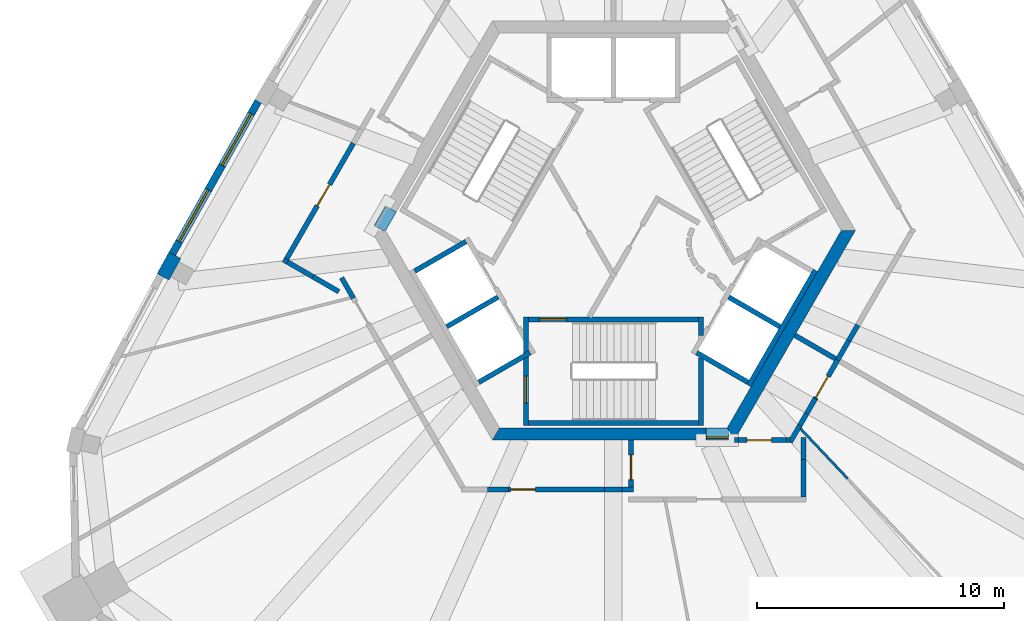
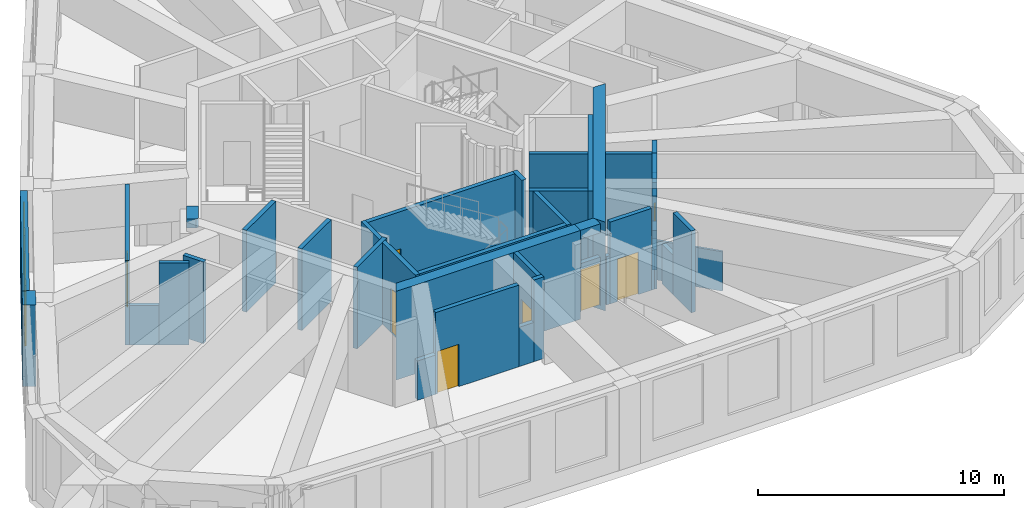
# One storey, part 3 of 9: 41 walls, 8 doors, 2 windows, 10 openings.
"""IFC4 building model written with IfcOpenShell, lengths in metres."""

from ifc_helpers import new_model, si_unit, direction, frame, frame_2d, origin, place, context, subcontext, project, spatial, polyline, rectangle, outline, extrude, material, layer, layer_set, type_object, element, fill, save


model = new_model("IFC4")

# Units and contexts
model_context = context("Model", 3, precision=1e-05, world=origin(), true_north=direction((0.0, 1.0)))
body_context = subcontext(model_context, "Body", "Model", "MODEL_VIEW")
ifc_project = project(units=[si_unit("LENGTHUNIT", "METRE"), si_unit("AREAUNIT", "SQUARE_METRE"), si_unit("VOLUMEUNIT", "CUBIC_METRE"), si_unit("PLANEANGLEUNIT", "RADIAN"), si_unit("MASSUNIT", "GRAM", prefix="KILO")], contexts=[model_context])

# Site, building, storey
site_placement = place(None, origin())
site = spatial("IfcSite", under=ifc_project, at=site_placement, CompositionType="ELEMENT")
building_placement = place(site_placement, origin())
building = spatial("IfcBuilding", under=site, at=building_placement, Name="Entoto Arch Interchange Tower", CompositionType="ELEMENT")
storey_placement = place(building_placement, frame((0.0, 0.0, 335.89990234375)))
storey = spatial("IfcBuildingStorey", under=building, at=storey_placement, Name="L79", CompositionType="ELEMENT", Elevation=335.89990234375)

# Wall, opening, door
ifc_material_1 = material(Name="Reinforced concrete C40/50", Category="concrete")
ifc_layer_1 = layer(ifc_material_1, 0.199951171875)
ifc_layer_set_1 = layer_set([ifc_layer_1], Name="Reinforced concrete C40/50")
wall_type_1 = type_object("IfcWallType", Name="CORE GAP INFILL WALL", PredefinedType="PARTITIONING", material=ifc_layer_set_1)
wall_1_placement = place(storey_placement, frame((3.75, -5.89990234375, 0.0), z_axis=(0.0, 0.0, 1.0), x_axis=(1.0, 0.0, 0.0)))
wall_1 = element("IfcWall", 1, at=wall_1_placement, inside=storey, type_object=wall_type_1, Name="wall:L79:gap1", PredefinedType="PARTITIONING", context=body_context, shape_type="SweptSolid", body=[
    extrude(rectangle(XDim=0.926025390625, YDim=0.199951171875, at=frame_2d((0.462890625, 0.0))), origin(), (0.0, 0.0, 1.0), 2.400146484375),
])
opening_1_placement = place(wall_1_placement, frame((0.01708984375, 0.0, 0.0)))
opening_1 = element("IfcOpeningElement", 2, at=opening_1_placement, cuts=wall_1, Name="Opening L79-D91", PredefinedType="OPENING", context=body_context, shape_type="SweptSolid", body=[
    extrude(rectangle(XDim=0.89990234375, YDim=2.10009765625, at=frame_2d((0.449951171875, 1.050048828125))), frame((0.0, 0.10986328125, 0.0), z_axis=(0.0, -1.0, 0.0), x_axis=(1.0, 0.0, 0.0)), (0.0, 0.0, 1.0), 0.219970703125),
])
ifc_material_2 = material(Name="Fire-rated Steel S235 door and frame", Category="steel")
door_type_1 = type_object("IfcDoorType", Name="DOOR FD-09 900x2100", OperationType="SINGLE_SWING_LEFT", PredefinedType="DOOR", material=ifc_material_2)
door_1_placement = place(opening_1_placement, origin())
door_1 = element("IfcDoor", 3, at=door_1_placement, inside=storey, type_object=door_type_1, Name="door:L79:gap1", OperationType="SINGLE_SWING_LEFT", OverallHeight=2.10009765625, OverallWidth=0.89990234375, PredefinedType="DOOR", context=body_context, shape_type="SweptSolid", body=[
    extrude(rectangle(XDim=0.89990234375, YDim=2.10009765625, at=frame_2d((0.449951171875, 1.050048828125))), frame((0.0, 0.02490234375, 0.0), z_axis=(0.0, -1.0, 0.0), x_axis=(1.0, 0.0, 0.0)), (0.0, 0.0, 1.0), 0.050048828125),
])
fill(opening_1, door_1)

# Walls
ifc_material_3 = material(Name="Concrete C40/50", Category="concrete")
ifc_layer_2 = layer(ifc_material_3, 0.5)
ifc_layer_set_2 = layer_set([ifc_layer_2], Name="Concrete C40/50")
wall_type_2 = type_object("IfcWallType", Name="Core wall 500 C40/50", PredefinedType="SHEAR", material=ifc_layer_set_2)
wall_2_placement = place(storey_placement, frame((0.0, 0.0, 3.60009765625)))
element("IfcWall", 4, at=wall_2_placement, inside=storey, type_object=wall_type_2, Name="Core wall lintel NW L79", PredefinedType="SHEAR", context=body_context, shape_type="SweptSolid", body=[
    extrude(outline(polyline([(-9.699951171875, 2.699951171875), (-9.35400390625, 2.5), (-9.238037109375, 2.5), (-8.802978515625, 3.2529296875), (-9.236083984375, 3.501953125), (-9.699951171875, 2.699951171875)])), origin(), (0.0, 0.0, 1.0), 0.449951171875),
])
wall_3_placement = place(storey_placement, frame((0.0, 0.0, -0.349853515625)))
element("IfcWall", 5, at=wall_3_placement, inside=storey, type_object=wall_type_2, Name="Core wall S L79", PredefinedType="SHEAR", context=body_context, shape_type="SweptSolid", body=[
    extrude(outline(polyline([(3.75, -6.0), (3.75, -5.5), (-4.618896484375, -5.5), (-4.906982421875, -6.0), (3.75, -6.0)])), origin(), (0.0, 0.0, 1.0), 4.39990234375),
])
wall_4_placement = place(storey_placement, frame((0.0, 0.0, 3.60009765625)))
element("IfcWall", 6, at=wall_4_placement, inside=storey, type_object=wall_type_2, Name="Core wall lintel S L79", PredefinedType="SHEAR", context=body_context, shape_type="SweptSolid", body=[
    extrude(outline(polyline([(4.676025390625, -6.0), (4.676025390625, -5.60009765625), (4.618896484375, -5.5), (3.75, -5.5), (3.75, -6.0), (4.676025390625, -6.0)])), origin(), (0.0, 0.0, 1.0), 0.449951171875),
])
wall_5_placement = place(storey_placement, frame((0.0, 0.0, -0.349853515625)))
element("IfcWall", 7, at=wall_5_placement, inside=storey, type_object=wall_type_2, Name="Core wall SE L79", PredefinedType="SHEAR", context=body_context, shape_type="SweptSolid", body=[
    extrude(outline(polyline([(4.906982421875, -6.0), (9.81494140625, 2.5), (9.238037109375, 2.5), (4.618896484375, -5.5), (4.906982421875, -6.0)])), origin(), (0.0, 0.0, 1.0), 4.39990234375),
])
ifc_layer_3 = layer(ifc_material_3, 0.199951171875)
ifc_layer_set_3 = layer_set([ifc_layer_3], Name="Concrete C40/50")
wall_type_3 = type_object("IfcWallType", Name="LIFT SHAFT WALL 200", PredefinedType="STANDARD", material=ifc_layer_set_3)
for number, where, z_axis, x_axis, name in (
    (8, (-5.97705078125, 2.052001953125, 0.0), (0.0, 0.0, 1.0), (-0.865973769406, -0.500089422704, 0.0), "Shaft wall SW1 cross 1"),
    (9, (-4.677001953125, -0.199951171875, 0.0), (0.0, 0.0, 1.0), (-0.865973769406, -0.500089422704, 0.0), "Shaft wall SW1 cross 2"),
):
    element("IfcWall", number, at=place(storey_placement, frame(where, z_axis=z_axis, x_axis=x_axis)), inside=storey, type_object=wall_type_3, Name=name, PredefinedType="STANDARD", context=body_context, shape_type="SweptSolid", body=[
        extrude(rectangle(XDim=2.3994140625, YDim=0.199951171875, at=frame_2d((1.19970703125, 0.0))), origin(), (0.0, 0.0, 1.0), 4.050048828125),
    ])
wall_6_placement = place(storey_placement, frame((-3.376953125, -2.451904296875, 0.0), z_axis=(0.0, 0.0, 1.0), x_axis=(-0.865955154139, -0.50012165622, 0.0)))
element("IfcWall", 10, at=wall_6_placement, inside=storey, type_object=wall_type_3, Name="Shaft wall SW1 cross 3", PredefinedType="STANDARD", context=body_context, shape_type="SweptSolid", body=[
    extrude(rectangle(XDim=2.39990234375, YDim=0.199951171875, at=frame_2d((1.199951171875, 0.0))), origin(), (0.0, 0.0, 1.0), 4.050048828125),
])
wall_7_placement = place(storey_placement, frame((5.491943359375, -3.7880859375, 0.0), z_axis=(0.0, 0.0, 1.0), x_axis=(0.500034260056, 0.866005622828, 0.0)))
element("IfcWall", 11, at=wall_7_placement, inside=storey, type_object=wall_type_3, Name="Shaft wall SE1 back", PredefinedType="STANDARD", context=body_context, shape_type="SweptSolid", body=[
    extrude(rectangle(XDim=5.3994140625, YDim=0.199951171875, at=frame_2d((2.69970703125, 0.0))), origin(), (0.0, 0.0, 1.0), 4.050048828125),
])
wall_8_placement = place(storey_placement, frame((3.376953125, -2.451904296875, 0.0), z_axis=(0.0, 0.0, 1.0), x_axis=(0.865955154139, -0.50012165622, 0.0)))
element("IfcWall", 12, at=wall_8_placement, inside=storey, type_object=wall_type_3, Name="Shaft wall SE1 cross 1", PredefinedType="STANDARD", context=body_context, shape_type="SweptSolid", body=[
    extrude(rectangle(XDim=2.39990234375, YDim=0.199951171875, at=frame_2d((1.199951171875, 0.0))), origin(), (0.0, 0.0, 1.0), 4.050048828125),
])
wall_9_placement = place(storey_placement, frame((4.677001953125, -0.199951171875, 0.0), z_axis=(0.0, 0.0, 1.0), x_axis=(0.865973769406, -0.500089422704, 0.0)))
element("IfcWall", 13, at=wall_9_placement, inside=storey, type_object=wall_type_3, Name="Shaft wall SE1 cross 2", PredefinedType="STANDARD", context=body_context, shape_type="SweptSolid", body=[
    extrude(rectangle(XDim=2.3994140625, YDim=0.199951171875, at=frame_2d((1.19970703125, 0.0))), origin(), (0.0, 0.0, 1.0), 4.050048828125),
])
ifc_material_4 = material(Name="Gypsum board partition on steel studs", Category="steel")
ifc_layer_4 = layer(ifc_material_4, 0.10009765625)
ifc_layer_set_4 = layer_set([ifc_layer_4], Name="Gypsum board partition on steel studs")
wall_type_4 = type_object("IfcWallType", Name="PARTITION 100", PredefinedType="PARTITIONING", material=ifc_layer_set_4)
wall_10_placement = place(storey_placement, frame((7.52392578125, -5.467041015625, 0.0), z_axis=(0.0, 0.0, 1.0), x_axis=(0.686690726235, -0.726949686363, 0.0)))
element("IfcWall", 14, at=wall_10_placement, inside=storey, type_object=wall_type_4, Name="wall:L79:p024", PredefinedType="PARTITIONING", context=body_context, shape_type="SweptSolid", body=[
    extrude(rectangle(XDim=2.880615234375, YDim=0.10009765625, at=frame_2d((1.4404296875, 0.0))), origin(), (0.0, 0.0, 1.0), 1.9501953125),
])

# Wall, opening, door
ifc_layer_5 = layer(ifc_material_4, 0.199951171875)
ifc_layer_set_5 = layer_set([ifc_layer_5], Name="Gypsum board partition on steel studs")
wall_type_5 = type_object("IfcWallType", Name="PARTITION 200", PredefinedType="PARTITIONING", material=ifc_layer_set_5)
wall_11_placement = place(storey_placement, frame((0.712890625, -7.89990234375, 0.0), z_axis=(0.0, 0.0, 1.0), x_axis=(0.0, 1.0, 0.0)))
wall_11 = element("IfcWall", 15, at=wall_11_placement, inside=storey, type_object=wall_type_5, Name="wall:L79:p013", PredefinedType="PARTITIONING", context=body_context, shape_type="SweptSolid", body=[
    extrude(rectangle(XDim=1.89990234375, YDim=0.199951171875, at=frame_2d((0.949951171875, 0.0))), origin(), (0.0, 0.0, 1.0), 4.050048828125),
])
opening_2_placement = place(wall_11_placement, frame((0.300048828125, 0.0, 0.0)))
opening_2 = element("IfcOpeningElement", 16, at=opening_2_placement, cuts=wall_11, Name="Opening L79-D01", PredefinedType="OPENING", context=body_context, shape_type="SweptSolid", body=[
    extrude(rectangle(XDim=1.0, YDim=2.10009765625, at=frame_2d((0.5, 1.050048828125))), frame((0.0, 0.10986328125, 0.0), z_axis=(0.0, -1.0, 0.0), x_axis=(1.0, 0.0, 0.0)), (0.0, 0.0, 1.0), 0.219970703125),
])
door_type_2 = type_object("IfcDoorType", Name="DOOR FD-10 1000x2100", OperationType="SINGLE_SWING_LEFT", PredefinedType="DOOR", material=ifc_material_2)
door_2_placement = place(opening_2_placement, origin())
door_2 = element("IfcDoor", 17, at=door_2_placement, inside=storey, type_object=door_type_2, Name="door:L79:01", OperationType="SINGLE_SWING_LEFT", OverallHeight=2.10009765625, OverallWidth=1.0, PredefinedType="DOOR", context=body_context, shape_type="SweptSolid", body=[
    extrude(rectangle(XDim=1.0, YDim=2.10009765625, at=frame_2d((0.5, 1.050048828125))), frame((0.0, 0.02490234375, 0.0), z_axis=(0.0, -1.0, 0.0), x_axis=(1.0, 0.0, 0.0)), (0.0, 0.0, 1.0), 0.050048828125),
])
fill(opening_2, door_2)

# Walls
wall_12_placement = place(storey_placement, frame((4.906982421875, -6.0, 0.0), z_axis=(0.0, 0.0, 1.0), x_axis=(1.0, 0.0, 0.0)))
element("IfcWall", 18, at=wall_12_placement, inside=storey, type_object=wall_type_5, Name="wall:L79:p014", PredefinedType="PARTITIONING", context=body_context, shape_type="SweptSolid", body=[
    extrude(rectangle(XDim=0.1689453125, YDim=0.199951171875, at=frame_2d((0.08447265625, 0.0))), origin(), (0.0, 0.0, 1.0), 2.400146484375),
])
wall_13_placement = place(storey_placement, frame((7.712890625, -5.89990234375, 0.0), z_axis=(0.0, 0.0, 1.0), x_axis=(0.0, -1.0, 0.0)))
element("IfcWall", 19, at=wall_13_placement, inside=storey, type_object=wall_type_5, Name="wall:L79:p016", PredefinedType="PARTITIONING", context=body_context, shape_type="SweptSolid", body=[
    extrude(rectangle(XDim=0.89306640625, YDim=0.199951171875, at=frame_2d((0.446533203125, 0.0))), origin(), (0.0, 0.0, 1.0), 1.9501953125),
])
wall_14_placement = place(storey_placement, frame((0.81298828125, -8.0, 0.0), z_axis=(0.0, 0.0, 1.0), x_axis=(-1.0, 0.0, 0.0)))
element("IfcWall", 20, at=wall_14_placement, inside=storey, type_object=wall_type_5, Name="wall:L79:p018", PredefinedType="PARTITIONING", context=body_context, shape_type="SweptSolid", body=[
    extrude(rectangle(XDim=0.462890625, YDim=0.199951171875, at=frame_2d((0.2314453125, 0.0))), origin(), (0.0, 0.0, 1.0), 4.050048828125),
])

# Wall, opening, door
wall_15_placement = place(storey_placement, frame((9.093017578125, -2.75, 0.0), z_axis=(0.0, 0.0, 1.0), x_axis=(-0.500145398563, -0.865941441609, 0.0)))
wall_15 = element("IfcWall", 21, at=wall_15_placement, inside=storey, type_object=wall_type_5, Name="wall:L79:p021", PredefinedType="PARTITIONING", context=body_context, shape_type="SweptSolid", body=[
    extrude(rectangle(XDim=1.8154296875, YDim=0.199951171875, at=frame_2d((0.90771484375, 0.0))), origin(), (0.0, 0.0, 1.0), 4.050048828125),
])
opening_3_placement = place(wall_15_placement, frame((0.758056640625, 0.0, 0.0)))
opening_3 = element("IfcOpeningElement", 22, at=opening_3_placement, cuts=wall_15, Name="Opening L79-D05", PredefinedType="OPENING", context=body_context, shape_type="SweptSolid", body=[
    extrude(rectangle(XDim=1.0, YDim=2.10009765625, at=frame_2d((0.5, 1.050048828125))), frame((0.0, 0.10986328125, 0.0), z_axis=(0.0, -1.0, 0.0), x_axis=(1.0, 0.0, 0.0)), (0.0, 0.0, 1.0), 0.219970703125),
])
ifc_material_5 = material(Name="Timber door leaf in Steel S235 frame", Category="steel")
door_type_3 = type_object("IfcDoorType", Name="DOOR DS-10 1000x2100", OperationType="SINGLE_SWING_LEFT", PredefinedType="DOOR", material=ifc_material_5)
door_3_placement = place(opening_3_placement, origin())
door_3 = element("IfcDoor", 23, at=door_3_placement, inside=storey, type_object=door_type_3, Name="door:L79:05", OperationType="SINGLE_SWING_LEFT", OverallHeight=2.10009765625, OverallWidth=1.0, PredefinedType="DOOR", context=body_context, shape_type="SweptSolid", body=[
    extrude(rectangle(XDim=1.0, YDim=2.10009765625, at=frame_2d((0.5, 1.050048828125))), frame((0.0, 0.02490234375, 0.0), z_axis=(0.0, -1.0, 0.0), x_axis=(1.0, 0.0, 0.0)), (0.0, 0.0, 1.0), 0.050048828125),
])
fill(opening_3, door_3)

# Walls
wall_16_placement = place(storey_placement, frame((7.361083984375, -1.75, 0.0), z_axis=(0.0, 0.0, 1.0), x_axis=(0.865980106173, -0.500078449558, 0.0)))
element("IfcWall", 24, at=wall_16_placement, inside=storey, type_object=wall_type_5, Name="wall:L79:p022", PredefinedType="PARTITIONING", context=body_context, shape_type="SweptSolid", body=[
    extrude(rectangle(XDim=1.899658203125, YDim=0.199951171875, at=frame_2d((0.94970703125, 0.0))), origin(), (0.0, 0.0, 1.0), 4.050048828125),
])
wall_17_placement = place(storey_placement, frame((-11.131103515625, 0.02001953125, 0.0), z_axis=(0.0, 0.0, 1.0), x_axis=(-0.866182239464, 0.499728254191, 0.0)))
element("IfcWall", 25, at=wall_17_placement, inside=storey, type_object=wall_type_5, Name="wall:L79:p040", PredefinedType="PARTITIONING", context=body_context, shape_type="SweptSolid", body=[
    extrude(rectangle(XDim=1.214599609375, YDim=0.199951171875, at=frame_2d((0.607421875, 0.0))), origin(), (0.0, 0.0, 1.0), 4.050048828125),
])
wall_18_placement = place(storey_placement, frame((-13.345947265625, 1.18310546875, 0.0), z_axis=(0.0, 0.0, 1.0), x_axis=(0.501544421243, 0.865131893713, 0.0)))
element("IfcWall", 26, at=wall_18_placement, inside=storey, type_object=wall_type_5, Name="wall:L79:p041", PredefinedType="PARTITIONING", context=body_context, shape_type="SweptSolid", body=[
    extrude(rectangle(XDim=0.189453125, YDim=0.199951171875, at=frame_2d((0.0947265625, 0.0))), origin(), (0.0, 0.0, 1.0), 1.9501953125),
])
wall_19_placement = place(storey_placement, frame((-10.537109375, -0.2490234375, 0.0), z_axis=(0.0, 0.0, 1.0), x_axis=(-0.50065707842, 0.865645706873, 0.0)))
element("IfcWall", 27, at=wall_19_placement, inside=storey, type_object=wall_type_5, Name="wall:L79:p042", PredefinedType="PARTITIONING", context=body_context, shape_type="SweptSolid", body=[
    extrude(rectangle(XDim=0.964599609375, YDim=0.199951171875, at=frame_2d((0.482421875, 0.0))), origin(), (0.0, 0.0, 1.0), 4.050048828125),
])

# Wall, opening, door
wall_20_placement = place(storey_placement, frame((5.075927734375, -6.0, 0.0), z_axis=(0.0, 0.0, 1.0), x_axis=(1.0, 0.0, 0.0)))
wall_20 = element("IfcWall", 28, at=wall_20_placement, inside=storey, type_object=wall_type_5, Name="wall:L79:p014", PredefinedType="PARTITIONING", context=body_context, shape_type="SweptSolid", body=[
    extrude(rectangle(XDim=1.941162109375, YDim=0.199951171875, at=frame_2d((0.970703125, 0.0))), origin(), (0.0, 0.0, 1.0), 4.050048828125),
])
opening_4_placement = place(wall_20_placement, frame((0.3359375, 0.0, 0.0)))
opening_4 = element("IfcOpeningElement", 29, at=opening_4_placement, cuts=wall_20, Name="Opening L79-D02", PredefinedType="OPENING", context=body_context, shape_type="SweptSolid", body=[
    extrude(rectangle(XDim=1.0, YDim=2.10009765625, at=frame_2d((0.5, 1.050048828125))), frame((0.0, 0.10986328125, 0.0), z_axis=(0.0, -1.0, 0.0), x_axis=(1.0, 0.0, 0.0)), (0.0, 0.0, 1.0), 0.219970703125),
])
door_4_placement = place(opening_4_placement, origin())
door_4 = element("IfcDoor", 30, at=door_4_placement, inside=storey, type_object=door_type_2, Name="door:L79:02", OperationType="SINGLE_SWING_RIGHT", OverallHeight=2.10009765625, OverallWidth=1.0, PredefinedType="DOOR", context=body_context, shape_type="SweptSolid", body=[
    extrude(rectangle(XDim=1.0, YDim=2.10009765625, at=frame_2d((0.5, 1.050048828125))), frame((0.0, 0.02490234375, 0.0), z_axis=(0.0, -1.0, 0.0), x_axis=(1.0, 0.0, 0.0)), (0.0, 0.0, 1.0), 0.050048828125),
])
fill(opening_4, door_4)

# Walls
wall_21_placement = place(storey_placement, frame((7.01708984375, -6.0, 0.0), z_axis=(0.0, 0.0, 1.0), x_axis=(1.0, 0.0, 0.0)))
element("IfcWall", 31, at=wall_21_placement, inside=storey, type_object=wall_type_5, Name="wall:L79:p014", PredefinedType="PARTITIONING", context=body_context, shape_type="SweptSolid", body=[
    extrude(rectangle(XDim=0.143798828125, YDim=0.199951171875, at=frame_2d((0.07177734375, 0.0))), origin(), (0.0, 0.0, 1.0), 1.9501953125),
])
wall_22_placement = place(storey_placement, frame((7.712890625, -6.79296875, 0.0), z_axis=(0.0, 0.0, 1.0), x_axis=(0.0, -1.0, 0.0)))
element("IfcWall", 32, at=wall_22_placement, inside=storey, type_object=wall_type_5, Name="wall:L79:p016", PredefinedType="PARTITIONING", context=body_context, shape_type="SweptSolid", body=[
    extrude(rectangle(XDim=1.507080078125, YDim=0.199951171875, at=frame_2d((0.75341796875, 0.0))), origin(), (0.0, 0.0, 1.0), 4.050048828125),
])
wall_23_placement = place(storey_placement, frame((0.35009765625, -8.0, 0.0), z_axis=(0.0, 0.0, 1.0), x_axis=(-1.0, 0.0, 0.0)))
element("IfcWall", 33, at=wall_23_placement, inside=storey, type_object=wall_type_5, Name="wall:L79:p018", PredefinedType="PARTITIONING", context=body_context, shape_type="SweptSolid", body=[
    extrude(rectangle(XDim=0.7001953125, YDim=0.199951171875, at=frame_2d((0.35009765625, 0.0))), origin(), (0.0, 0.0, 1.0), 1.9501953125),
])

# Wall, opening, door
wall_24_placement = place(storey_placement, frame((-0.35009765625, -8.0, 0.0), z_axis=(0.0, 0.0, 1.0), x_axis=(-1.0, 0.0, 0.0)))
wall_24 = element("IfcWall", 34, at=wall_24_placement, inside=storey, type_object=wall_type_5, Name="wall:L79:p018", PredefinedType="PARTITIONING", context=body_context, shape_type="SweptSolid", body=[
    extrude(rectangle(XDim=3.90087890625, YDim=0.199951171875, at=frame_2d((1.950439453125, 0.0))), origin(), (0.0, 0.0, 1.0), 4.050048828125),
])
opening_5_placement = place(wall_24_placement, frame((2.81201171875, 0.0, 0.0)))
opening_5 = element("IfcOpeningElement", 35, at=opening_5_placement, cuts=wall_24, Name="Opening L79-D04", PredefinedType="OPENING", context=body_context, shape_type="SweptSolid", body=[
    extrude(rectangle(XDim=1.0, YDim=2.10009765625, at=frame_2d((0.5, 1.050048828125))), frame((0.0, 0.10986328125, 0.0), z_axis=(0.0, -1.0, 0.0), x_axis=(1.0, 0.0, 0.0)), (0.0, 0.0, 1.0), 0.219970703125),
])
door_5_placement = place(opening_5_placement, origin())
door_5 = element("IfcDoor", 36, at=door_5_placement, inside=storey, type_object=door_type_3, Name="door:L79:04", OperationType="SINGLE_SWING_RIGHT", OverallHeight=2.10009765625, OverallWidth=1.0, PredefinedType="DOOR", context=body_context, shape_type="SweptSolid", body=[
    extrude(rectangle(XDim=1.0, YDim=2.10009765625, at=frame_2d((0.5, 1.050048828125))), frame((0.0, 0.02490234375, 0.0), z_axis=(0.0, -1.0, 0.0), x_axis=(1.0, 0.0, 0.0)), (0.0, 0.0, 1.0), 0.050048828125),
])
fill(opening_5, door_5)

# Walls
wall_25_placement = place(storey_placement, frame((-4.2509765625, -8.0, 0.0), z_axis=(0.0, 0.0, 1.0), x_axis=(-1.0, 0.0, 0.0)))
element("IfcWall", 37, at=wall_25_placement, inside=storey, type_object=wall_type_5, Name="wall:L79:p018", PredefinedType="PARTITIONING", context=body_context, shape_type="SweptSolid", body=[
    extrude(rectangle(XDim=0.85498046875, YDim=0.199951171875, at=frame_2d((0.427490234375, 0.0))), origin(), (0.0, 0.0, 1.0), 1.9501953125),
])
wall_26_placement = place(storey_placement, frame((8.18505859375, -4.322021484375, 0.0), z_axis=(0.0, 0.0, 1.0), x_axis=(-0.500265973451, -0.865871789474, 0.0)))
element("IfcWall", 38, at=wall_26_placement, inside=storey, type_object=wall_type_5, Name="wall:L79:p021", PredefinedType="PARTITIONING", context=body_context, shape_type="SweptSolid", body=[
    extrude(rectangle(XDim=0.69970703125, YDim=0.199951171875, at=frame_2d((0.349853515625, 0.0))), origin(), (0.0, 0.0, 1.0), 1.9501953125),
])
wall_27_placement = place(storey_placement, frame((7.8349609375, -4.927978515625, 0.0), z_axis=(0.0, 0.0, 1.0), x_axis=(-0.499646164767, -0.866229594296, 0.0)))
element("IfcWall", 39, at=wall_27_placement, inside=storey, type_object=wall_type_5, Name="wall:L79:p021", PredefinedType="PARTITIONING", context=body_context, shape_type="SweptSolid", body=[
    extrude(rectangle(XDim=0.55419921875, YDim=0.199951171875, at=frame_2d((0.277099609375, 0.0))), origin(), (0.0, 0.0, 1.0), 4.050048828125),
])
wall_28_placement = place(storey_placement, frame((7.55810546875, -5.407958984375, 0.0), z_axis=(0.0, 0.0, 1.0), x_axis=(-0.500090821976, -0.865972961342, 0.0)))
element("IfcWall", 40, at=wall_28_placement, inside=storey, type_object=wall_type_5, Name="wall:L79:p021", PredefinedType="PARTITIONING", context=body_context, shape_type="SweptSolid", body=[
    extrude(rectangle(XDim=0.783935546875, YDim=0.199951171875, at=frame_2d((0.39208984375, 0.0))), origin(), (0.0, 0.0, 1.0), 1.9501953125),
])
wall_29_placement = place(storey_placement, frame((9.9130859375, -1.3310546875, 0.0), z_axis=(0.0, 0.0, 1.0), x_axis=(-0.500785366854, -0.865571496957, 0.0)))
element("IfcWall", 41, at=wall_29_placement, inside=storey, type_object=wall_type_5, Name="wall:L79:p032", PredefinedType="PARTITIONING", context=body_context, shape_type="SweptSolid", body=[
    extrude(rectangle(XDim=0.728759765625, YDim=0.199951171875, at=frame_2d((0.3642578125, 0.0))), origin(), (0.0, 0.0, 1.0), 1.9501953125),
])
wall_30_placement = place(storey_placement, frame((9.548095703125, -1.9619140625, 0.0), z_axis=(0.0, 0.0, 1.0), x_axis=(-0.500063042646, -0.865989003036, 0.0)))
element("IfcWall", 42, at=wall_30_placement, inside=storey, type_object=wall_type_5, Name="wall:L79:p032", PredefinedType="PARTITIONING", context=body_context, shape_type="SweptSolid", body=[
    extrude(rectangle(XDim=0.91015625, YDim=0.199951171875, at=frame_2d((0.455078125, 0.0))), origin(), (0.0, 0.0, 1.0), 4.050048828125),
])
wall_31_placement = place(storey_placement, frame((-12.18310546875, 0.626953125, 0.0), z_axis=(0.0, 0.0, 1.0), x_axis=(-0.865759938798, 0.500459517216, 0.0)))
element("IfcWall", 43, at=wall_31_placement, inside=storey, type_object=wall_type_5, Name="wall:L79:p040", PredefinedType="PARTITIONING", context=body_context, shape_type="SweptSolid", body=[
    extrude(rectangle(XDim=1.18505859375, YDim=0.199951171875, at=frame_2d((0.592529296875, 0.0))), origin(), (0.0, 0.0, 1.0), 1.9501953125),
])

# Wall, opening, door
wall_32_placement = place(storey_placement, frame((-13.2509765625, 1.346923828125, 0.0), z_axis=(0.0, 0.0, 1.0), x_axis=(0.50001771527, 0.866015175627, 0.0)))
wall_32 = element("IfcWall", 44, at=wall_32_placement, inside=storey, type_object=wall_type_5, Name="wall:L79:p041", PredefinedType="PARTITIONING", context=body_context, shape_type="SweptSolid", body=[
    extrude(rectangle(XDim=5.415771484375, YDim=0.199951171875, at=frame_2d((2.7080078125, 0.0))), origin(), (0.0, 0.0, 1.0), 4.050048828125),
])
opening_6_placement = place(wall_32_placement, frame((2.490966796875, 0.0, 0.0)))
opening_6 = element("IfcOpeningElement", 45, at=opening_6_placement, cuts=wall_32, Name="Opening L79-D12", PredefinedType="OPENING", context=body_context, shape_type="SweptSolid", body=[
    extrude(rectangle(XDim=1.0, YDim=2.10009765625, at=frame_2d((0.5, 1.050048828125))), frame((0.0, 0.10986328125, 0.0), z_axis=(0.0, -1.0, 0.0), x_axis=(1.0, 0.0, 0.0)), (0.0, 0.0, 1.0), 0.219970703125),
])
door_6_placement = place(opening_6_placement, origin())
door_6 = element("IfcDoor", 46, at=door_6_placement, inside=storey, type_object=door_type_2, Name="door:L79:12", OperationType="SINGLE_SWING_LEFT", OverallHeight=2.10009765625, OverallWidth=1.0, PredefinedType="DOOR", context=body_context, shape_type="SweptSolid", body=[
    extrude(rectangle(XDim=1.0, YDim=2.10009765625, at=frame_2d((0.5, 1.050048828125))), frame((0.0, 0.02490234375, 0.0), z_axis=(0.0, -1.0, 0.0), x_axis=(1.0, 0.0, 0.0)), (0.0, 0.0, 1.0), 0.050048828125),
])
fill(opening_6, door_6)

ifc_layer_6 = layer(ifc_material_3, 0.199951171875)
ifc_layer_set_6 = layer_set([ifc_layer_6], Name="Concrete C40/50")
wall_type_6 = type_object("IfcWallType", Name="STAIR ENCLOSURE WALL 200", PredefinedType="STANDARD", material=ifc_layer_set_6)
wall_33_placement = place(storey_placement, frame((-3.550048828125, -1.0, 0.0), z_axis=(0.0, 0.0, 1.0), x_axis=(0.0, -1.0, 0.0)))
wall_33 = element("IfcWall", 47, at=wall_33_placement, inside=storey, type_object=wall_type_6, Name="Stair wall ST-S near", PredefinedType="STANDARD", context=body_context, shape_type="SweptSolid", body=[
    extrude(rectangle(XDim=4.39990234375, YDim=0.199951171875, at=frame_2d((2.199951171875, 0.0))), origin(), (0.0, 0.0, 1.0), 4.050048828125),
])
opening_7_placement = place(wall_33_placement, frame((2.39990234375, 0.0, 0.0)))
opening_7 = element("IfcOpeningElement", 48, at=opening_7_placement, cuts=wall_33, Name="Opening SD-ST-S-L79-E", PredefinedType="OPENING", context=body_context, shape_type="SweptSolid", body=[
    extrude(rectangle(XDim=1.10009765625, YDim=2.199951171875, at=frame_2d((0.550048828125, 1.10009765625))), frame((0.0, 0.10986328125, 0.0), z_axis=(0.0, -1.0, 0.0), x_axis=(1.0, 0.0, 0.0)), (0.0, 0.0, 1.0), 0.219970703125),
])
ifc_material_6 = material(Name="Steel S235", Category="steel")
door_type_4 = type_object("IfcDoorType", Name="STAIR DOOR SD1 1100x2200", OperationType="SINGLE_SWING_LEFT", PredefinedType="DOOR", material=ifc_material_6)
door_7_placement = place(opening_7_placement, origin())
door_7 = element("IfcDoor", 49, at=door_7_placement, inside=storey, type_object=door_type_4, Name="Stair door ST-S L79 end", OperationType="SINGLE_SWING_LEFT", OverallHeight=2.199951171875, OverallWidth=1.10009765625, PredefinedType="DOOR", context=body_context, shape_type="SweptSolid", body=[
    extrude(rectangle(XDim=1.10009765625, YDim=2.199951171875, at=frame_2d((0.550048828125, 1.10009765625))), frame((0.0, 0.02490234375, 0.0), z_axis=(0.0, -1.0, 0.0), x_axis=(1.0, 0.0, 0.0)), (0.0, 0.0, 1.0), 0.050048828125),
])
fill(opening_7, door_7)

# Walls
wall_34_placement = place(storey_placement, frame((3.550048828125, -2.6669921875, 0.0), z_axis=(0.0, 0.0, 1.0), x_axis=(0.0, -1.0, 0.0)))
element("IfcWall", 50, at=wall_34_placement, inside=storey, type_object=wall_type_6, Name="Stair wall ST-S far", PredefinedType="STANDARD", context=body_context, shape_type="SweptSolid", body=[
    extrude(rectangle(XDim=2.73291015625, YDim=0.199951171875, at=frame_2d((1.366455078125, 0.0))), origin(), (0.0, 0.0, 1.0), 4.050048828125),
])
wall_35_placement = place(storey_placement, frame((3.550048828125, -1.0, 0.0), z_axis=(0.0, 0.0, 1.0), x_axis=(0.0, -1.0, 0.0)))
element("IfcWall", 51, at=wall_35_placement, inside=storey, type_object=wall_type_6, Name="Stair wall ST-S far return", PredefinedType="STANDARD", context=body_context, shape_type="SweptSolid", body=[
    extrude(rectangle(XDim=0.7509765625, YDim=0.199951171875, at=frame_2d((0.37548828125, 0.0))), origin(), (0.0, 0.0, 1.0), 4.050048828125),
])

# Wall, opening, door
wall_36_placement = place(storey_placement, frame((-3.449951171875, -1.10009765625, 0.0), z_axis=(0.0, 0.0, 1.0), x_axis=(1.0, 0.0, 0.0)))
wall_36 = element("IfcWall", 52, at=wall_36_placement, inside=storey, type_object=wall_type_6, Name="Stair wall ST-S hall", PredefinedType="STANDARD", context=body_context, shape_type="SweptSolid", body=[
    extrude(rectangle(XDim=6.89990234375, YDim=0.199951171875, at=frame_2d((3.449951171875, 0.0))), origin(), (0.0, 0.0, 1.0), 4.050048828125),
])
opening_8_placement = place(wall_36_placement, frame((0.449951171875, 0.0, 0.0)))
opening_8 = element("IfcOpeningElement", 53, at=opening_8_placement, cuts=wall_36, Name="Opening SD-ST-S-L79", PredefinedType="OPENING", context=body_context, shape_type="SweptSolid", body=[
    extrude(rectangle(XDim=1.10009765625, YDim=2.199951171875, at=frame_2d((0.550048828125, 1.10009765625))), frame((0.0, 0.10986328125, 0.0), z_axis=(0.0, -1.0, 0.0), x_axis=(1.0, 0.0, 0.0)), (0.0, 0.0, 1.0), 0.219970703125),
])
door_8_placement = place(opening_8_placement, origin())
door_8 = element("IfcDoor", 54, at=door_8_placement, inside=storey, type_object=door_type_4, Name="Stair door ST-S L79", OperationType="SINGLE_SWING_LEFT", OverallHeight=2.199951171875, OverallWidth=1.10009765625, PredefinedType="DOOR", context=body_context, shape_type="SweptSolid", body=[
    extrude(rectangle(XDim=1.10009765625, YDim=2.199951171875, at=frame_2d((0.550048828125, 1.10009765625))), frame((0.0, 0.02490234375, 0.0), z_axis=(0.0, -1.0, 0.0), x_axis=(1.0, 0.0, 0.0)), (0.0, 0.0, 1.0), 0.050048828125),
])
fill(opening_8, door_8)

# Wall
wall_37_placement = place(storey_placement, frame((-3.449951171875, -5.300048828125, 0.0), z_axis=(0.0, 0.0, 1.0), x_axis=(1.0, 0.0, 0.0)))
element("IfcWall", 55, at=wall_37_placement, inside=storey, type_object=wall_type_6, Name="Stair wall ST-S back", PredefinedType="STANDARD", context=body_context, shape_type="SweptSolid", body=[
    extrude(rectangle(XDim=6.89990234375, YDim=0.199951171875, at=frame_2d((3.449951171875, 0.0))), origin(), (0.0, 0.0, 1.0), 4.050048828125),
])

# Wall, openings, windows
ifc_material_7 = material(Name="Welded tuff (ignimbrite) cladding, warm buff", Category="masonry")
ifc_layer_7 = layer(ifc_material_7, 0.300048828125)
ifc_layer_set_7 = layer_set([ifc_layer_7], Name="Welded tuff (ignimbrite) cladding, warm buff")
wall_type_7 = type_object("IfcWallType", Name="STONE INFILL WALL 300", PredefinedType="STANDARD", material=ifc_layer_set_7)
wall_38_placement = place(storey_placement, frame((-14.404052734375, 7.739990234375, 0.0), z_axis=(0.0, 0.0, 1.0), x_axis=(-0.49029716741, -0.871555326775, 0.0)))
wall_38 = element("IfcWall", 56, at=wall_38_placement, inside=storey, type_object=wall_type_7, Name="Facade wall NW-03 L79", PredefinedType="STANDARD", context=body_context, shape_type="SweptSolid", body=[
    extrude(rectangle(XDim=7.09765625, YDim=0.300048828125, at=frame_2d((3.548828125, 0.0))), origin(), (0.0, 0.0, 1.0), 4.050048828125),
])
opening_9_placement = place(wall_38_placement, frame((0.573974609375, 0.0, 0.89990234375)))
opening_9 = element("IfcOpeningElement", 57, at=opening_9_placement, cuts=wall_38, Name="Opening WK-A", PredefinedType="OPENING", context=body_context, shape_type="SweptSolid", body=[
    extrude(rectangle(XDim=2.39990234375, YDim=3.0, at=frame_2d((1.199951171875, 1.5))), frame((0.0, 0.16015625, 0.0), z_axis=(0.0, -1.0, 0.0), x_axis=(1.0, 0.0, 0.0)), (0.0, 0.0, 1.0), 0.320068359375),
])
opening_10_placement = place(wall_38_placement, frame((4.123046875, 0.0, 0.89990234375)))
opening_10 = element("IfcOpeningElement", 58, at=opening_10_placement, cuts=wall_38, Name="Opening WK-A", PredefinedType="OPENING", context=body_context, shape_type="SweptSolid", body=[
    extrude(rectangle(XDim=2.39990234375, YDim=3.0, at=frame_2d((1.199951171875, 1.5))), frame((0.0, 0.16015625, 0.0), z_axis=(0.0, -1.0, 0.0), x_axis=(1.0, 0.0, 0.0)), (0.0, 0.0, 1.0), 0.320068359375),
])
ifc_material_8 = material(Name="Clear glass, low-e double glazed", Category="glass")
window_type = type_object("IfcWindowType", Name="WINDOW WK-A 2400x3000", PartitioningType="DOUBLE_PANEL_VERTICAL", PredefinedType="WINDOW", material=ifc_material_8)
window_1_placement = place(opening_9_placement, origin())
window_1 = element("IfcWindow", 59, at=window_1_placement, inside=storey, type_object=window_type, Name="Window WK-A NW-03 L79", OverallHeight=3.0, OverallWidth=2.39990234375, PartitioningType="SINGLE_PANEL", PredefinedType="WINDOW", context=body_context, shape_type="SweptSolid", body=[
    extrude(rectangle(XDim=2.39990234375, YDim=3.0, at=frame_2d((1.199951171875, 1.5))), frame((0.0, 0.030029296875, 0.0), z_axis=(0.0, -1.0, 0.0), x_axis=(1.0, 0.0, 0.0)), (0.0, 0.0, 1.0), 0.06005859375),
])
fill(opening_9, window_1)
window_2_placement = place(opening_10_placement, origin())
window_2 = element("IfcWindow", 60, at=window_2_placement, inside=storey, type_object=window_type, Name="Window WK-A NW-03 L79", OverallHeight=3.0, OverallWidth=2.39990234375, PartitioningType="SINGLE_PANEL", PredefinedType="WINDOW", context=body_context, shape_type="SweptSolid", body=[
    extrude(rectangle(XDim=2.39990234375, YDim=3.0, at=frame_2d((1.199951171875, 1.5))), frame((0.0, 0.030029296875, 0.0), z_axis=(0.0, -1.0, 0.0), x_axis=(1.0, 0.0, 0.0)), (0.0, 0.0, 1.0), 0.06005859375),
])
fill(opening_10, window_2)

# Wall
ifc_layer_8 = layer(ifc_material_7, 0.550048828125)
ifc_layer_set_8 = layer_set([ifc_layer_8], Name="Welded tuff (ignimbrite) cladding, warm buff")
wall_type_8 = type_object("IfcWallType", Name="STONE PIER CLADDING 550", PredefinedType="STANDARD", material=ifc_layer_set_8)
wall_39_placement = place(storey_placement, frame((-17.779052734375, 1.4970703125, 0.0), z_axis=(0.0, 0.0, 1.0), x_axis=(-0.480117793957, -0.877204026396, 0.0)))
element("IfcWall", 61, at=wall_39_placement, inside=storey, type_object=wall_type_8, Name="Stone pier NW04 L79", PredefinedType="STANDARD", context=body_context, shape_type="SweptSolid", body=[
    extrude(rectangle(XDim=0.999755859375, YDim=0.550048828125, at=frame_2d((0.5, 0.0))), origin(), (0.0, 0.0, 1.0), 4.050048828125),
])

save(model, "model.ifc")
